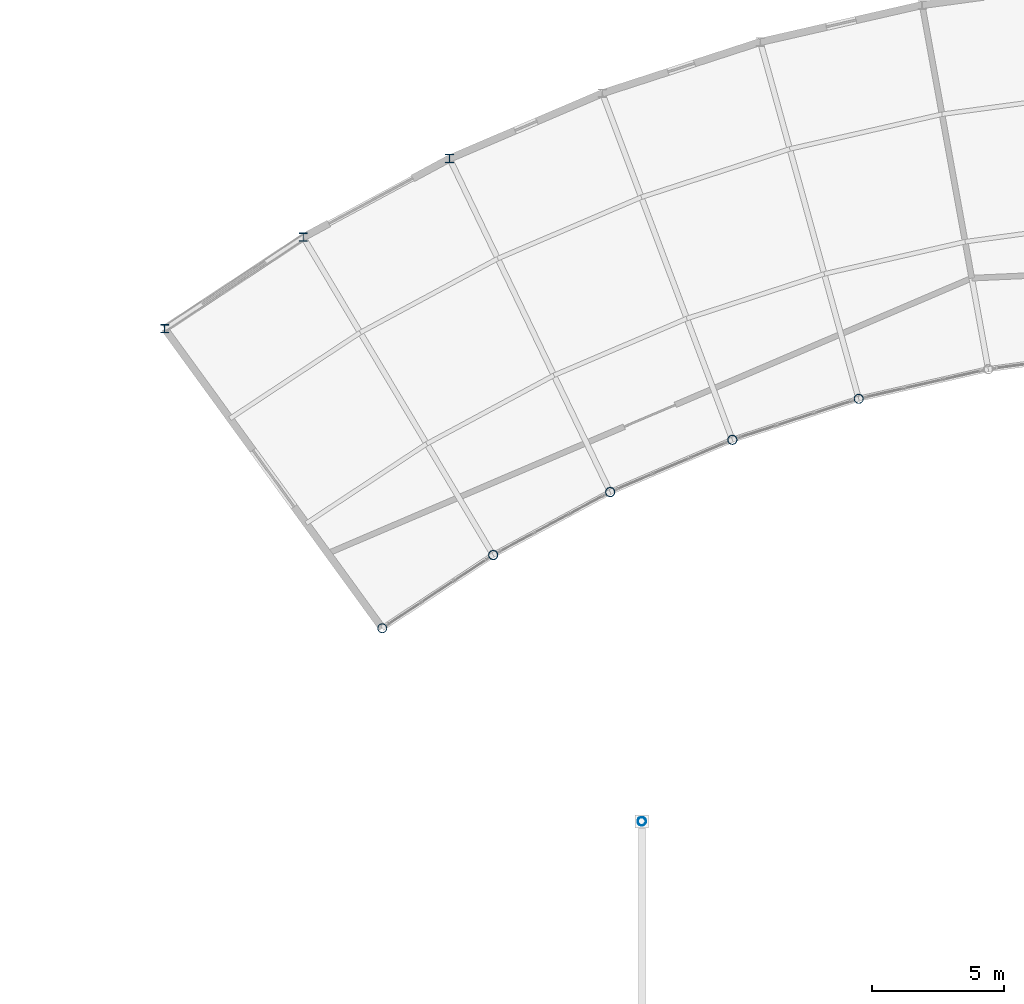
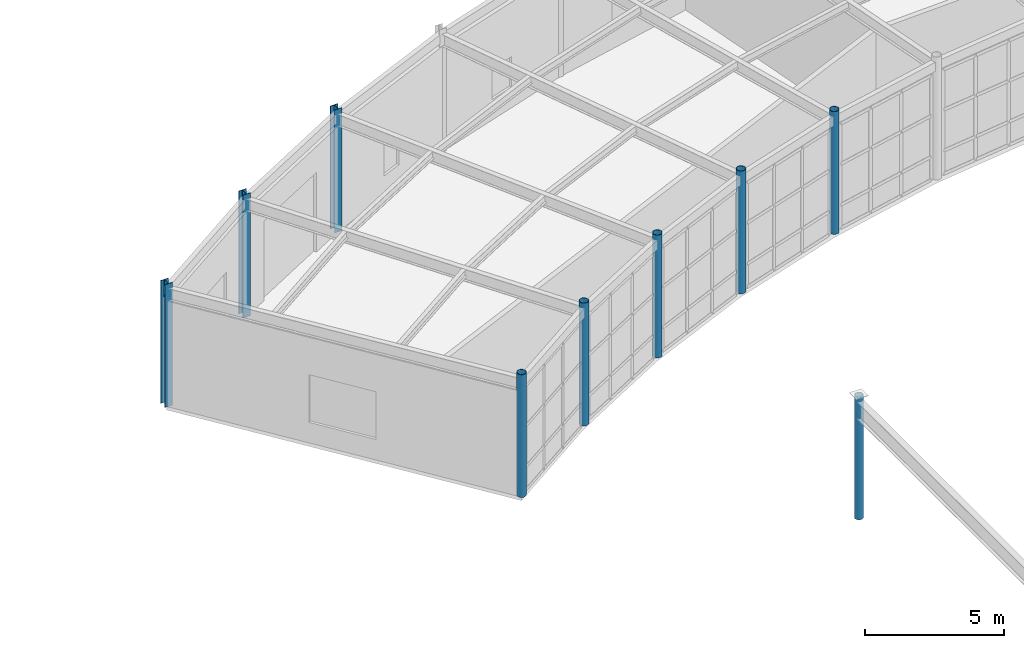
# One storey, part 13 of 87: 9 columns.
"""IFC4 building model written with IfcOpenShell, lengths in metres."""

from ifc_helpers import new_model, si_unit, direction, frame, origin, origin_2d, place, context, subcontext, project, spatial, hollow_circle, i_section, extrude, material, material_profile, profile_set, type_object, element, save


model = new_model("IFC4")

# Units and contexts
model_context = context("Model", 3, precision=1e-05, world=origin(), true_north=direction((0.0, 1.0)))
body_context = subcontext(model_context, "Body", "Model", "MODEL_VIEW")
ifc_project = project(units=[si_unit("LENGTHUNIT", "METRE"), si_unit("AREAUNIT", "SQUARE_METRE"), si_unit("VOLUMEUNIT", "CUBIC_METRE"), si_unit("PLANEANGLEUNIT", "RADIAN"), si_unit("MASSUNIT", "GRAM", prefix="KILO")], contexts=[model_context])

# Site, building, storey
site_placement = place(None, origin())
site = spatial("IfcSite", under=ifc_project, at=site_placement, CompositionType="ELEMENT")
building_placement = place(site_placement, origin())
building = spatial("IfcBuilding", under=site, at=building_placement, Name="Selat Folded Stagehouse", CompositionType="ELEMENT")
storey_placement = place(building_placement, origin())
storey = spatial("IfcBuildingStorey", under=building, at=storey_placement, Name="L00", CompositionType="ELEMENT", Elevation=0.0)

# Columns
ifc_material = material(Name="Steel S355", Category="steel")
ifc_material_profile_1 = material_profile(ifc_material, hollow_circle(Radius=0.161865234375, WallThickness=0.012451171875, at=origin_2d()), Name="CHS 323.9x12.5")
ifc_profile_set_1 = profile_set([ifc_material_profile_1], Name="Steel S355")
column_type_1 = type_object("IfcColumnType", Name="COL-CHS-323x12.5", PredefinedType="COLUMN", material=ifc_profile_set_1)
column_placement = place(storey_placement, frame((69.300048828125, 76.0, 0.0), z_axis=(0.0, 0.0, 1.0), x_axis=(1.0, 0.0, 0.0)))
element("IfcColumn", 1, at=column_placement, inside=storey, type_object=column_type_1, Name="L00 column STK-BR1-760", PredefinedType="COLUMN", context=body_context, shape_type="SweptSolid", body=[
    extrude(hollow_circle(Radius=0.161865234375, WallThickness=0.012451171875, at=origin_2d()), origin(), (0.0, 0.0, 1.0), 5.39990234375),
])
ifc_material_profile_2 = material_profile(ifc_material, hollow_circle(Radius=0.177734375, WallThickness=0.01611328125, at=origin_2d()), Name="CHS 355.6x16.0")
ifc_profile_set_2 = profile_set([ifc_material_profile_2], Name="Steel S355")
column_type_2 = type_object("IfcColumnType", Name="COL-CHS-355x16", PredefinedType="COLUMN", material=ifc_profile_set_2)
for number, where, z_axis, x_axis, name in (
    (2, (59.48388671875, 83.304931640625, 0.0), (0.0, 0.0, 1.0), (1.0, 0.0, 0.0), "L00 column STK-V6IN-00"),
    (3, (63.677490234375, 86.072998046875, 0.0), (0.0, 0.0, 1.0), (1.0, 0.0, 0.0), "L00 column STK-V6IN-01"),
    (4, (68.1025390625, 88.454345703125, 0.0), (0.0, 0.0, 1.0), (1.0, 0.0, 0.0), "L00 column STK-V6IN-02"),
    (5, (72.722900390625, 90.42919921875, 0.0), (0.0, 0.0, 1.0), (1.0, 0.0, 0.0), "L00 column STK-V6IN-03"),
    (6, (77.501953125, 91.98193359375, 0.0), (0.0, 0.0, 1.0), (1.0, 0.0, 0.0), "L00 column STK-V6IN-04"),
):
    element("IfcColumn", number, at=place(storey_placement, frame(where, z_axis=z_axis, x_axis=x_axis)), inside=storey, type_object=column_type_2, Name=name, PredefinedType="COLUMN", context=body_context, shape_type="SweptSolid", body=[
        extrude(hollow_circle(Radius=0.177734375, WallThickness=0.01611328125, at=origin_2d()), origin(), (0.0, 0.0, 1.0), 5.39990234375),
    ])
ifc_material_profile_3 = material_profile(ifc_material, i_section(OverallWidth=0.30908203125, OverallDepth=0.320556640625, WebThickness=0.013916015625, FlangeThickness=0.021728515625, FilletRadius=0.01513671875, at=origin_2d()), Name="UKC 305x305x137")
ifc_profile_set_3 = profile_set([ifc_material_profile_3], Name="Steel S355")
column_type_3 = type_object("IfcColumnType", Name="COL-UKC-305x305x137", PredefinedType="COLUMN", material=ifc_profile_set_3)
for number, where, z_axis, x_axis, name in (
    (7, (51.2548828125, 94.631103515625, 0.0), (0.0, 0.0, 1.0), (1.0, 0.0, 0.0), "L00 column STK-V6OUT-00"),
    (8, (56.4970703125, 98.09130859375, 0.0), (0.0, 0.0, 1.0), (1.0, 0.0, 0.0), "L00 column STK-V6OUT-01"),
    (9, (62.028076171875, 101.06787109375, 0.0), (0.0, 0.0, 1.0), (1.0, 0.0, 0.0), "L00 column STK-V6OUT-02"),
):
    element("IfcColumn", number, at=place(storey_placement, frame(where, z_axis=z_axis, x_axis=x_axis)), inside=storey, type_object=column_type_3, Name=name, PredefinedType="COLUMN", context=body_context, shape_type="SweptSolid", body=[
        extrude(i_section(OverallWidth=0.30908203125, OverallDepth=0.320556640625, WebThickness=0.013916015625, FlangeThickness=0.021728515625, FilletRadius=0.01513671875, at=origin_2d()), origin(), (0.0, 0.0, 1.0), 5.39990234375),
    ])

save(model, "model.ifc")
